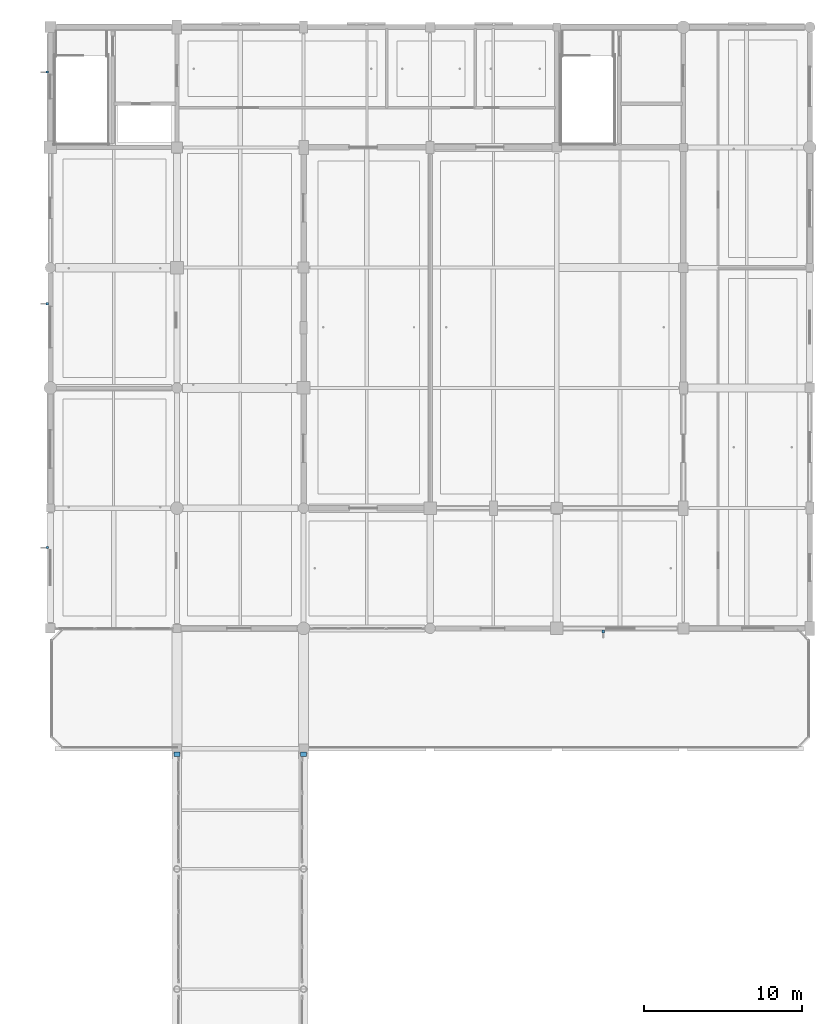
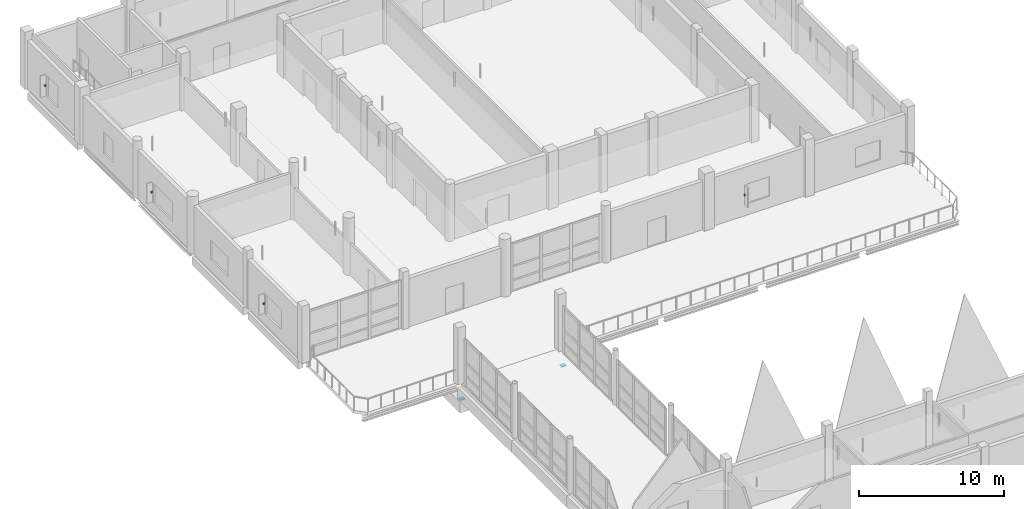
# One storey, part 123 of 141: 6 discrete accessories.
"""IFC4 building model written with IfcOpenShell, lengths in metres."""

from ifc_helpers import new_model, si_unit, direction, frame, origin, origin_2d, place, context, subcontext, project, spatial, rectangle, extrude, material, type_object, element, save


model = new_model("IFC4")

# Units and contexts
model_context = context("Model", 3, precision=1e-05, world=origin(), true_north=direction((0.0, 1.0)))
body_context = subcontext(model_context, "Body", "Model", "MODEL_VIEW")
ifc_project = project(units=[si_unit("LENGTHUNIT", "METRE"), si_unit("AREAUNIT", "SQUARE_METRE"), si_unit("VOLUMEUNIT", "CUBIC_METRE"), si_unit("PLANEANGLEUNIT", "RADIAN"), si_unit("MASSUNIT", "GRAM", prefix="KILO")], contexts=[model_context])

# Site, building, storey
site_placement = place(None, origin())
site = spatial("IfcSite", under=ifc_project, at=site_placement, CompositionType="ELEMENT")
building_placement = place(site_placement, origin())
building = spatial("IfcBuilding", under=site, at=building_placement, Name="Khelvaren Railside Concert Hall", CompositionType="ELEMENT")
storey_placement = place(building_placement, frame((0.0, 0.0, 10.199951171875)))
storey = spatial("IfcBuildingStorey", under=building, at=storey_placement, Name="L02", CompositionType="ELEMENT", Elevation=10.199951171875)

# Discrete accessories
ifc_material_1 = material(Name="Architectural stainless steel Grade 316", Category="steel")
discrete_accessory_type_1 = type_object("IfcDiscreteAccessoryType", Name="BRK87", PredefinedType="BRACKET", material=ifc_material_1)
for number, where, z_axis, x_axis, name in (
    (1, (34.945068359375, 75.804931640625, 1.705078125), (0.0, 0.0, 1.0), (-1.0, 0.0, 0.0), "Solar Fin Bracket EW-V4-L02-S-32"),
    (2, (-0.195068359375, 81.10498046875, 1.705078125), (0.0, 0.0, 1.0), (0.0, 1.0, 0.0), "Solar Fin Bracket EW-V4-L02-W-76"),
    (3, (-0.195068359375, 96.517578125, 1.705078125), (0.0, 0.0, 1.0), (0.0, 1.0, 0.0), "Solar Fin Bracket EW-V4-L02-W-91"),
    (4, (-0.195068359375, 111.155029296875, 1.7802734375), (0.0, 0.0, 1.0), (0.0, 1.0, 0.0), "Solar Fin Bracket EW-V4-L02-W-106"),
):
    element("IfcDiscreteAccessory", number, at=place(storey_placement, frame(where, z_axis=z_axis, x_axis=x_axis)), inside=storey, type_object=discrete_accessory_type_1, Name=name, PredefinedType="BRACKET", context=body_context, shape_type="SweptSolid", body=[
        extrude(rectangle(XDim=0.139892578125, YDim=0.159912109375, at=origin_2d()), origin(), (0.0, 0.0, 1.0), 0.139892578125),
    ])
ifc_material_2 = material(Name="Elastomeric PTFE sliding bearing assembly", Category="steel")
discrete_accessory_type_2 = type_object("IfcDiscreteAccessoryType", Name="SB94", PredefinedType="USERDEFINED", material=ifc_material_2)
for number, where, z_axis, x_axis, name in (
    (5, (8.0, 68.0400390625, -1.2099609375), (0.0, 0.0, 1.0), (0.0, 1.0, 0.0), "West Court Chamber Link Bridge L02 Unguided PTFE Sliding Bearing 1"),
    (6, (16.0, 68.0400390625, -1.2099609375), (0.0, 0.0, 1.0), (0.0, 1.0, 0.0), "West Court Chamber Link Bridge L02 Unguided PTFE Sliding Bearing 2"),
):
    element("IfcDiscreteAccessory", number, at=place(storey_placement, frame(where, z_axis=z_axis, x_axis=x_axis)), inside=storey, type_object=discrete_accessory_type_2, Name=name, ObjectType="SLIDING BEARING", PredefinedType="USERDEFINED", context=body_context, shape_type="SweptSolid", body=[
        extrude(rectangle(XDim=0.300048828125, YDim=0.3798828125, at=origin_2d()), origin(), (0.0, 0.0, 1.0), 0.050048828125),
    ])

save(model, "model.ifc")
